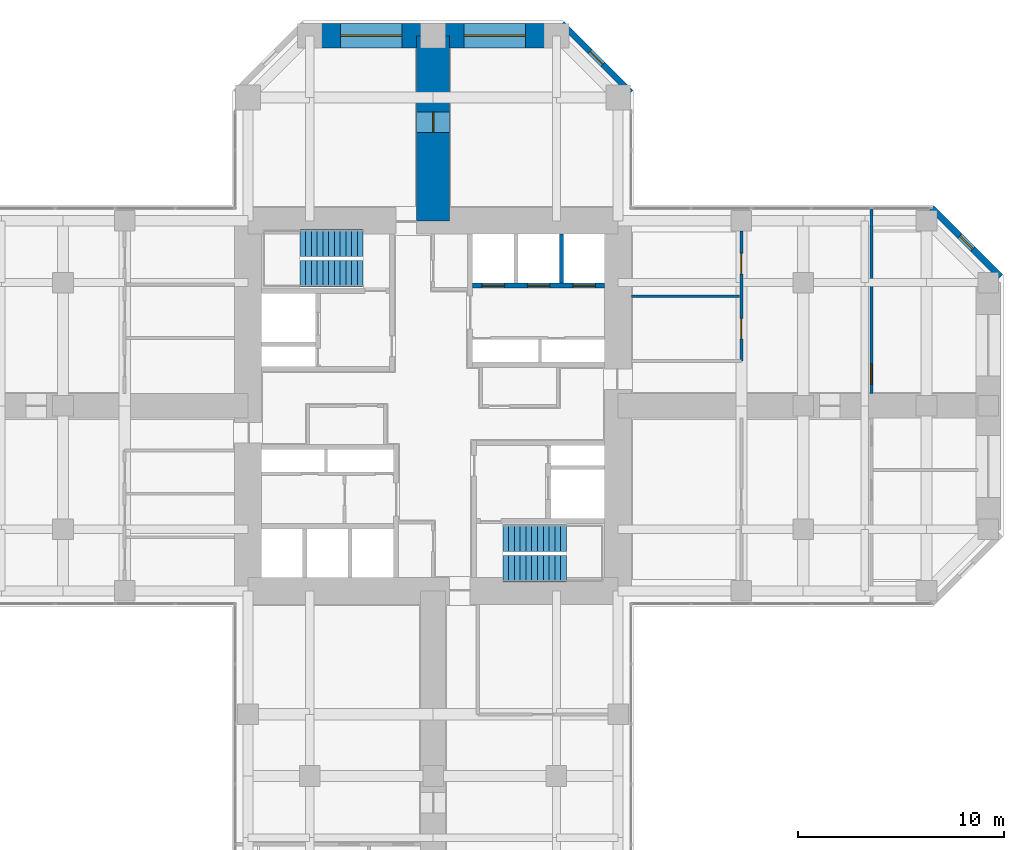
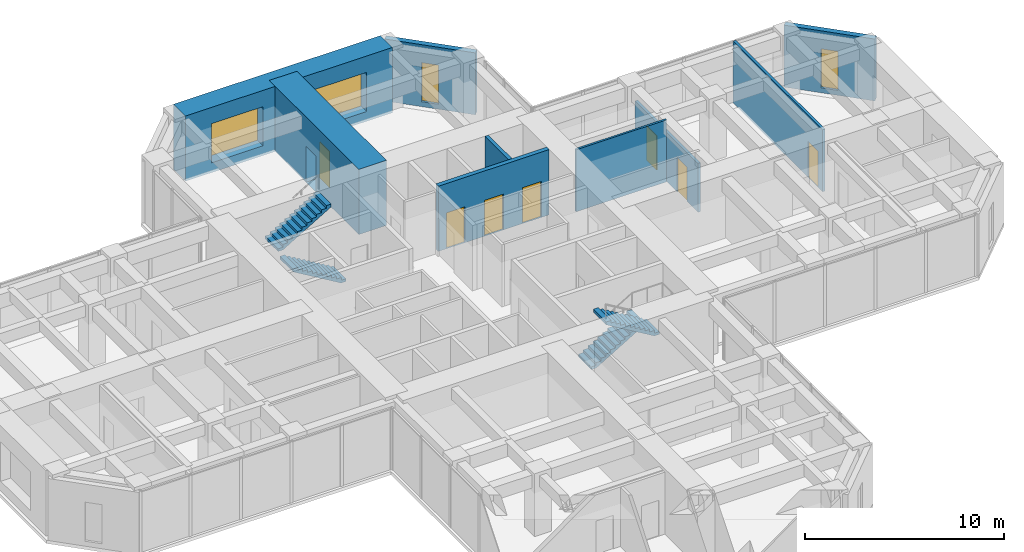
# One storey, part 11 of 12: 9 walls, 7 doors, 4 stair flights, 4 windows, 11 openings, 2 elements without a shape of their own.
"""IFC4 building model written with IfcOpenShell, lengths in metres."""

from ifc_helpers import new_model, si_unit, direction, frame, frame_2d, origin, place, context, subcontext, project, spatial, polyline, rectangle, hollow_rectangle, outline, extrude, material, layer, layer_set, constituent, constituent_set, type_object, element, fill, aggregate, save


model = new_model("IFC4")

# Units and contexts
model_context = context("Model", 3, precision=1e-05, world=origin(), true_north=direction((0.0, 1.0)))
body_context = subcontext(model_context, "Body", "Model", "MODEL_VIEW")
ifc_project = project(units=[si_unit("LENGTHUNIT", "METRE"), si_unit("AREAUNIT", "SQUARE_METRE"), si_unit("VOLUMEUNIT", "CUBIC_METRE"), si_unit("PLANEANGLEUNIT", "RADIAN"), si_unit("MASSUNIT", "GRAM", prefix="KILO")], contexts=[model_context])

# Site, building, storey
site_placement = place(None, origin())
site = spatial("IfcSite", under=ifc_project, at=site_placement, CompositionType="ELEMENT")
building_placement = place(site_placement, origin())
building = spatial("IfcBuilding", under=site, at=building_placement, Name="Torre Cruceta", CompositionType="ELEMENT")
storey_placement = place(building_placement, frame((0.0, 0.0, 104.5)))
storey = spatial("IfcBuildingStorey", under=building, at=storey_placement, Name="L25", CompositionType="ELEMENT", Elevation=104.5)

# Wall, openings, doors
ifc_material_1 = material(Name="Concrete G60 (fck 60 MPa)", Category="concrete")
ifc_layer_1 = layer(ifc_material_1, 0.25)
ifc_layer_set_1 = layer_set([ifc_layer_1], Name="Concrete G60 (fck 60 MPa)")
wall_type_1 = type_object("IfcWallType", Name="CORE INNER WALL 250 G60", PredefinedType="SHEAR", material=ifc_layer_set_1)
wall_1_placement = place(storey_placement, frame((1.925048828125, 5.85009765625, 0.0), z_axis=(0.0, 0.0, 1.0), x_axis=(1.0, 0.0, 0.0)))
wall_1 = element("IfcWall", 1, at=wall_1_placement, inside=storey, type_object=wall_type_1, Name="CW4 L25 NE-LV", PredefinedType="SHEAR", context=body_context, shape_type="SweptSolid", body=[
    extrude(rectangle(XDim=6.425048828125, YDim=0.25, at=frame_2d((3.21240234375, 0.0))), origin(), (0.0, 0.0, 1.0), 4.0),
])
opening_1_placement = place(wall_1_placement, frame((0.4541015625, 0.0, 0.0)))
opening_1 = element("IfcOpeningElement", 2, at=opening_1_placement, cuts=wall_1, Name="Opening LD1", PredefinedType="OPENING", context=body_context, shape_type="SweptSolid", body=[
    extrude(rectangle(XDim=1.10009765625, YDim=2.199951171875, at=frame_2d((0.550048828125, 1.10009765625))), frame((0.0, 0.135009765625, 0.0), z_axis=(0.0, -1.0, 0.0), x_axis=(1.0, 0.0, 0.0)), (0.0, 0.0, 1.0), 0.27001953125),
])
opening_2_placement = place(wall_1_placement, frame((2.66259765625, 0.0, 0.0)))
opening_2 = element("IfcOpeningElement", 3, at=opening_2_placement, cuts=wall_1, Name="Opening LD1", PredefinedType="OPENING", context=body_context, shape_type="SweptSolid", body=[
    extrude(rectangle(XDim=1.10009765625, YDim=2.199951171875, at=frame_2d((0.550048828125, 1.10009765625))), frame((0.0, 0.135009765625, 0.0), z_axis=(0.0, -1.0, 0.0), x_axis=(1.0, 0.0, 0.0)), (0.0, 0.0, 1.0), 0.27001953125),
])
opening_3_placement = place(wall_1_placement, frame((4.870849609375, 0.0, 0.0)))
opening_3 = element("IfcOpeningElement", 4, at=opening_3_placement, cuts=wall_1, Name="Opening LD1", PredefinedType="OPENING", context=body_context, shape_type="SweptSolid", body=[
    extrude(rectangle(XDim=1.10009765625, YDim=2.199951171875, at=frame_2d((0.550048828125, 1.10009765625))), frame((0.0, 0.135009765625, 0.0), z_axis=(0.0, -1.0, 0.0), x_axis=(1.0, 0.0, 0.0)), (0.0, 0.0, 1.0), 0.27001953125),
])
ifc_material_2 = material(Name="Stainless steel 1.4401", Category="steel")
door_type_1 = type_object("IfcDoorType", Name="LIFT LANDING DOOR 1100X2200", OperationType="DOUBLE_DOOR_SLIDING", PredefinedType="DOOR", material=ifc_material_2)
door_1_placement = place(opening_1_placement, origin())
door_1 = element("IfcDoor", 5, at=door_1_placement, inside=storey, type_object=door_type_1, Name="Lift landing door P1", OperationType="DOUBLE_DOOR_SLIDING", OverallHeight=2.199951171875, OverallWidth=1.10009765625, PredefinedType="DOOR", context=body_context, shape_type="SweptSolid", body=[
    extrude(rectangle(XDim=1.10009765625, YDim=2.199951171875, at=frame_2d((0.550048828125, 1.10009765625))), frame((0.0, 0.02490234375, 0.0), z_axis=(0.0, -1.0, 0.0), x_axis=(1.0, 0.0, 0.0)), (0.0, 0.0, 1.0), 0.050048828125),
])
fill(opening_1, door_1)
door_2_placement = place(opening_2_placement, origin())
door_2 = element("IfcDoor", 6, at=door_2_placement, inside=storey, type_object=door_type_1, Name="Lift landing door P2", OperationType="DOUBLE_DOOR_SLIDING", OverallHeight=2.199951171875, OverallWidth=1.10009765625, PredefinedType="DOOR", context=body_context, shape_type="SweptSolid", body=[
    extrude(rectangle(XDim=1.10009765625, YDim=2.199951171875, at=frame_2d((0.550048828125, 1.10009765625))), frame((0.0, 0.02490234375, 0.0), z_axis=(0.0, -1.0, 0.0), x_axis=(1.0, 0.0, 0.0)), (0.0, 0.0, 1.0), 0.050048828125),
])
fill(opening_2, door_2)
door_3_placement = place(opening_3_placement, origin())
door_3 = element("IfcDoor", 7, at=door_3_placement, inside=storey, type_object=door_type_1, Name="Lift landing door P3", OperationType="DOUBLE_DOOR_SLIDING", OverallHeight=2.199951171875, OverallWidth=1.10009765625, PredefinedType="DOOR", context=body_context, shape_type="SweptSolid", body=[
    extrude(rectangle(XDim=1.10009765625, YDim=2.199951171875, at=frame_2d((0.550048828125, 1.10009765625))), frame((0.0, 0.02490234375, 0.0), z_axis=(0.0, -1.0, 0.0), x_axis=(1.0, 0.0, 0.0)), (0.0, 0.0, 1.0), 0.050048828125),
])
fill(opening_3, door_3)

# Wall, opening, window
ifc_material_3 = material(Name="Concrete G30 (fck 30 MPa)", Category="concrete")
ifc_layer_2 = layer(ifc_material_3, 0.300048828125)
ifc_layer_set_2 = layer_set([ifc_layer_2], Name="Concrete G30 (fck 30 MPa)")
wall_type_2 = type_object("IfcWallType", Name="EXPOSED CONCRETE FACADE WALL 300", PredefinedType="SOLIDWALL", material=ifc_layer_set_2)
wall_2_placement = place(storey_placement, frame((27.60009765625, 6.27685546875, 0.0), z_axis=(0.0, 0.0, 1.0), x_axis=(-0.707106781187, 0.707106781187, 0.0)))
wall_2 = element("IfcWall", 8, at=wall_2_placement, inside=storey, type_object=wall_type_2, Name="EW1 facade wall L25 E chamfer 03", PredefinedType="SOLIDWALL", context=body_context, shape_type="SweptSolid", body=[
    extrude(rectangle(XDim=4.72802734375, YDim=0.300048828125, at=frame_2d((2.364013671875, 0.0))), origin(), (0.0, 0.0, 1.0), 3.800048828125),
])
opening_4_placement = place(wall_2_placement, frame((1.9140625, 0.0, 0.300048828125)))
opening_4 = element("IfcOpeningElement", 9, at=opening_4_placement, cuts=wall_2, Name="Opening WN5", PredefinedType="OPENING", context=body_context, shape_type="SweptSolid", body=[
    extrude(rectangle(XDim=0.89990234375, YDim=2.39990234375, at=frame_2d((0.449951171875, 1.199951171875))), frame((0.0, 0.159912109375, 0.0), z_axis=(0.0, -1.0, 0.0), x_axis=(1.0, 0.0, 0.0)), (0.0, 0.0, 1.0), 0.320068359375),
])
ifc_material_4 = material(Name="Aluminium window frame", Category="aluminium")
ifc_constituent_1 = constituent(ifc_material_4, Name="Frame")
ifc_material_5 = material(Name="Laminated insulating glass unit, low-iron clear", Category="glass")
ifc_constituent_2 = constituent(ifc_material_5, Name="Glazing")
ifc_constituent_set_1 = constituent_set(constituents=[ifc_constituent_1, ifc_constituent_2], Name="Aluminium window")
window_type_1 = type_object("IfcWindowType", Name="CHAMFER SLOT WINDOW 900X2400", PartitioningType="SINGLE_PANEL", PredefinedType="WINDOW", material=ifc_constituent_set_1)
window_1_placement = place(opening_4_placement, origin())
window_1 = element("IfcWindow", 10, at=window_1_placement, inside=storey, type_object=window_type_1, Name="WN5 L25 E 1", OverallHeight=2.39990234375, OverallWidth=0.89990234375, PartitioningType="SINGLE_PANEL", PredefinedType="WINDOW", context=body_context, shape_type="SweptSolid", body=[
    extrude(hollow_rectangle(XDim=0.89990234375, YDim=2.39990234375, WallThickness=0.06005859375, at=frame_2d((0.449951171875, 1.199951171875))), frame((0.0, 0.030029296875, 0.0), z_axis=(0.0, -1.0, 0.0), x_axis=(1.0, 0.0, 0.0)), (0.0, 0.0, 1.0), 0.06005859375),
    extrude(rectangle(XDim=0.77880859375, YDim=2.27880859375, at=frame_2d((0.449951171875, 1.199951171875))), frame((0.0, 0.030029296875, 0.0), z_axis=(0.0, -1.0, 0.0), x_axis=(1.0, 0.0, 0.0)), (0.0, 0.0, 1.0), 0.06005859375),
])
fill(opening_4, window_1)

wall_3_placement = place(storey_placement, frame((9.6201171875, 15.2568359375, 0.0), z_axis=(0.0, 0.0, 1.0), x_axis=(-0.707106781187, 0.707106781187, 0.0)))
wall_3 = element("IfcWall", 11, at=wall_3_placement, inside=storey, type_object=wall_type_2, Name="EW1 facade wall L25 N chamfer 06", PredefinedType="SOLIDWALL", context=body_context, shape_type="SweptSolid", body=[
    extrude(rectangle(XDim=4.72802734375, YDim=0.300048828125, at=frame_2d((2.364013671875, 0.0))), origin(), (0.0, 0.0, 1.0), 3.800048828125),
])
opening_5_placement = place(wall_3_placement, frame((1.9140625, 0.0, 0.300048828125)))
opening_5 = element("IfcOpeningElement", 12, at=opening_5_placement, cuts=wall_3, Name="Opening WN5", PredefinedType="OPENING", context=body_context, shape_type="SweptSolid", body=[
    extrude(rectangle(XDim=0.89990234375, YDim=2.39990234375, at=frame_2d((0.449951171875, 1.199951171875))), frame((0.0, 0.159912109375, 0.0), z_axis=(0.0, -1.0, 0.0), x_axis=(1.0, 0.0, 0.0)), (0.0, 0.0, 1.0), 0.320068359375),
])
window_2_placement = place(opening_5_placement, origin())
window_2 = element("IfcWindow", 13, at=window_2_placement, inside=storey, type_object=window_type_1, Name="WN5 L25 N 1", OverallHeight=2.39990234375, OverallWidth=0.89990234375, PartitioningType="SINGLE_PANEL", PredefinedType="WINDOW", context=body_context, shape_type="SweptSolid", body=[
    extrude(hollow_rectangle(XDim=0.89990234375, YDim=2.39990234375, WallThickness=0.06005859375, at=frame_2d((0.449951171875, 1.199951171875))), frame((0.0, 0.030029296875, 0.0), z_axis=(0.0, -1.0, 0.0), x_axis=(1.0, 0.0, 0.0)), (0.0, 0.0, 1.0), 0.06005859375),
    extrude(rectangle(XDim=0.77880859375, YDim=2.27880859375, at=frame_2d((0.449951171875, 1.199951171875))), frame((0.0, 0.030029296875, 0.0), z_axis=(0.0, -1.0, 0.0), x_axis=(1.0, 0.0, 0.0)), (0.0, 0.0, 1.0), 0.06005859375),
])
fill(opening_5, window_2)

# Wall
ifc_material_6 = material(Name="Concrete G35 (fck 35 MPa)", Category="concrete")
ifc_layer_3 = layer(ifc_material_6, 0.199951171875)
ifc_layer_set_3 = layer_set([ifc_layer_3], Name="Concrete G35 (fck 35 MPa)")
wall_type_3 = type_object("IfcWallType", Name="LIFT SHAFT WALL 200", PredefinedType="PARTITIONING", material=ifc_layer_set_3)
wall_4_placement = place(storey_placement, frame((6.24169921875, 5.97509765625, 0.0), z_axis=(0.0, 0.0, 1.0), x_axis=(0.0, 1.0, 0.0)))
element("IfcWall", 14, at=wall_4_placement, inside=storey, type_object=wall_type_3, Name="SW1 L25 NE-LS2", PredefinedType="PARTITIONING", context=body_context, shape_type="SweptSolid", body=[
    extrude(rectangle(XDim=2.375, YDim=0.199951171875, at=frame_2d((1.1875, 0.0))), origin(), (0.0, 0.0, 1.0), 4.0),
])

# Wall, openings, windows
ifc_material_7 = material(Name="Concrete G60 (fck 60 MPa)", Category="concrete")
ifc_layer_4 = layer(ifc_material_7, 1.199951171875)
ifc_layer_set_4 = layer_set([ifc_layer_4], Name="Concrete G60 (fck 60 MPa)")
wall_type_4 = type_object("IfcWallType", Name="NOSE WALL 1200 G60", PredefinedType="SHEAR", material=ifc_layer_set_4)
wall_5_placement = place(storey_placement, frame((6.0, 18.0, 0.0), z_axis=(0.0, 0.0, 1.0), x_axis=(-1.0, 0.0, 0.0)))
wall_5 = element("IfcWall", 15, at=wall_5_placement, inside=storey, type_object=wall_type_4, Name="NW1 nose wall L25 N", PredefinedType="SHEAR", context=body_context, shape_type="SweptSolid", body=[
    extrude(rectangle(XDim=12.0, YDim=1.199951171875, at=frame_2d((6.0, 0.0))), origin(), (0.0, 0.0, 1.0), 4.0),
])
opening_6_placement = place(wall_5_placement, frame((1.5, 0.0, 0.60009765625)))
opening_6 = element("IfcOpeningElement", 16, at=opening_6_placement, cuts=wall_5, Name="Opening WN6", PredefinedType="OPENING", context=body_context, shape_type="SweptSolid", body=[
    extrude(rectangle(XDim=3.0, YDim=2.39990234375, at=frame_2d((1.5, 1.199951171875))), frame((0.0, 0.60986328125, 0.0), z_axis=(0.0, -1.0, 0.0), x_axis=(1.0, 0.0, 0.0)), (0.0, 0.0, 1.0), 1.219970703125),
])
opening_7_placement = place(wall_5_placement, frame((7.5, 0.0, 0.60009765625)))
opening_7 = element("IfcOpeningElement", 17, at=opening_7_placement, cuts=wall_5, Name="Opening WN6", PredefinedType="OPENING", context=body_context, shape_type="SweptSolid", body=[
    extrude(rectangle(XDim=3.0, YDim=2.39990234375, at=frame_2d((1.5, 1.199951171875))), frame((0.0, 0.60986328125, 0.0), z_axis=(0.0, -1.0, 0.0), x_axis=(1.0, 0.0, 0.0)), (0.0, 0.0, 1.0), 1.219970703125),
])
ifc_material_8 = material(Name="Aluminium window frame", Category="aluminium")
ifc_constituent_3 = constituent(ifc_material_8, Name="Frame")
ifc_material_9 = material(Name="Laminated insulating glass unit, low-iron clear", Category="glass")
ifc_constituent_4 = constituent(ifc_material_9, Name="Glazing")
ifc_constituent_set_2 = constituent_set(constituents=[ifc_constituent_3, ifc_constituent_4], Name="Aluminium window")
window_type_2 = type_object("IfcWindowType", Name="NOSE WALL WINDOW 3000X2400", PartitioningType="SINGLE_PANEL", PredefinedType="WINDOW", material=ifc_constituent_set_2)
window_3_placement = place(opening_6_placement, origin())
window_3 = element("IfcWindow", 18, at=window_3_placement, inside=storey, type_object=window_type_2, Name="WN6 L25 N 1", OverallHeight=2.39990234375, OverallWidth=3.0, PartitioningType="SINGLE_PANEL", PredefinedType="WINDOW", context=body_context, shape_type="SweptSolid", body=[
    extrude(hollow_rectangle(XDim=3.0, YDim=2.39990234375, WallThickness=0.06005859375, at=frame_2d((1.5, 1.199951171875))), frame((0.0, 0.030029296875, 0.0), z_axis=(0.0, -1.0, 0.0), x_axis=(1.0, 0.0, 0.0)), (0.0, 0.0, 1.0), 0.06005859375),
    extrude(rectangle(XDim=2.87890625, YDim=2.27880859375, at=frame_2d((1.5, 1.199951171875))), frame((0.0, 0.030029296875, 0.0), z_axis=(0.0, -1.0, 0.0), x_axis=(1.0, 0.0, 0.0)), (0.0, 0.0, 1.0), 0.06005859375),
])
fill(opening_6, window_3)
window_4_placement = place(opening_7_placement, origin())
window_4 = element("IfcWindow", 19, at=window_4_placement, inside=storey, type_object=window_type_2, Name="WN6 L25 N 2", OverallHeight=2.39990234375, OverallWidth=3.0, PartitioningType="SINGLE_PANEL", PredefinedType="WINDOW", context=body_context, shape_type="SweptSolid", body=[
    extrude(hollow_rectangle(XDim=3.0, YDim=2.39990234375, WallThickness=0.06005859375, at=frame_2d((1.5, 1.199951171875))), frame((0.0, 0.030029296875, 0.0), z_axis=(0.0, -1.0, 0.0), x_axis=(1.0, 0.0, 0.0)), (0.0, 0.0, 1.0), 0.06005859375),
    extrude(rectangle(XDim=2.87890625, YDim=2.27880859375, at=frame_2d((1.5, 1.199951171875))), frame((0.0, 0.030029296875, 0.0), z_axis=(0.0, -1.0, 0.0), x_axis=(1.0, 0.0, 0.0)), (0.0, 0.0, 1.0), 0.06005859375),
])
fill(opening_7, window_4)

# Wall, openings, doors
ifc_material_10 = material(Name="Plasterboard on steel studs", Category="steel")
ifc_layer_5 = layer(ifc_material_10, 0.14990234375)
ifc_layer_set_5 = layer_set([ifc_layer_5], Name="Plasterboard on steel studs")
wall_type_5 = type_object("IfcWallType", Name="PARTITION 150", PredefinedType="PARTITIONING", material=ifc_layer_set_5)
wall_6_placement = place(storey_placement, frame((15.0, 2.175048828125, 0.0), z_axis=(0.0, 0.0, 1.0), x_axis=(0.0, 1.0, 0.0)))
wall_6 = element("IfcWall", 20, at=wall_6_placement, inside=storey, type_object=wall_type_5, Name="PT1 L25-E-BFL", PredefinedType="PARTITIONING", context=body_context, shape_type="SweptSolid", body=[
    extrude(rectangle(XDim=6.324951171875, YDim=0.14990234375, at=frame_2d((3.16259765625, 0.0))), origin(), (0.0, 0.0, 1.0), 3.0),
])
opening_8_placement = place(wall_6_placement, frame((1.081298828125, 0.0, 0.0)))
opening_8 = element("IfcOpeningElement", 21, at=opening_8_placement, cuts=wall_6, Name="Opening D3", PredefinedType="OPENING", context=body_context, shape_type="SweptSolid", body=[
    extrude(rectangle(XDim=1.0, YDim=2.10009765625, at=frame_2d((0.5, 1.050048828125))), frame((0.0, 0.0849609375, 0.0), z_axis=(0.0, -1.0, 0.0), x_axis=(1.0, 0.0, 0.0)), (0.0, 0.0, 1.0), 0.169921875),
])
opening_9_placement = place(wall_6_placement, frame((4.243896484375, 0.0, 0.0)))
opening_9 = element("IfcOpeningElement", 22, at=opening_9_placement, cuts=wall_6, Name="Opening D3", PredefinedType="OPENING", context=body_context, shape_type="SweptSolid", body=[
    extrude(rectangle(XDim=1.0, YDim=2.10009765625, at=frame_2d((0.5, 1.050048828125))), frame((0.0, 0.0849609375, 0.0), z_axis=(0.0, -1.0, 0.0), x_axis=(1.0, 0.0, 0.0)), (0.0, 0.0, 1.0), 0.169921875),
])
ifc_material_11 = material(Name="Steel DX51D", Category="steel")
ifc_constituent_5 = constituent(ifc_material_11, Name="Leaf and frame")
ifc_material_12 = material(Name="Polyester powder coating", Category="paint")
ifc_constituent_6 = constituent(ifc_material_12, Name="Finish")
ifc_constituent_set_3 = constituent_set(constituents=[ifc_constituent_5, ifc_constituent_6], Name="Steel fire door")
door_type_2 = type_object("IfcDoorType", Name="FIRE DOOR 1000X2100", OperationType="SINGLE_SWING_LEFT", PredefinedType="DOOR", material=ifc_constituent_set_3)
door_4_placement = place(opening_8_placement, origin())
door_4 = element("IfcDoor", 23, at=door_4_placement, inside=storey, type_object=door_type_2, Name="D3 L25-E-BFL-D1", OperationType="SINGLE_SWING_LEFT", OverallHeight=2.10009765625, OverallWidth=1.0, PredefinedType="DOOR", context=body_context, shape_type="SweptSolid", body=[
    extrude(rectangle(XDim=1.0, YDim=2.10009765625, at=frame_2d((0.5, 1.050048828125))), frame((0.0, 0.02490234375, 0.0), z_axis=(0.0, -1.0, 0.0), x_axis=(1.0, 0.0, 0.0)), (0.0, 0.0, 1.0), 0.050048828125),
])
fill(opening_8, door_4)
door_5_placement = place(opening_9_placement, origin())
door_5 = element("IfcDoor", 24, at=door_5_placement, inside=storey, type_object=door_type_2, Name="D3 L25-E-BFL-D2", OperationType="SINGLE_SWING_LEFT", OverallHeight=2.10009765625, OverallWidth=1.0, PredefinedType="DOOR", context=body_context, shape_type="SweptSolid", body=[
    extrude(rectangle(XDim=1.0, YDim=2.10009765625, at=frame_2d((0.5, 1.050048828125))), frame((0.0, 0.02490234375, 0.0), z_axis=(0.0, -1.0, 0.0), x_axis=(1.0, 0.0, 0.0)), (0.0, 0.0, 1.0), 0.050048828125),
])
fill(opening_9, door_5)

# Wall, opening, door
wall_7_placement = place(storey_placement, frame((21.320068359375, 0.60009765625, 0.0), z_axis=(0.0, 0.0, 1.0), x_axis=(0.0, 1.0, 0.0)))
wall_7 = element("IfcWall", 25, at=wall_7_placement, inside=storey, type_object=wall_type_5, Name="PT1 L25-E-TWL", PredefinedType="PARTITIONING", context=body_context, shape_type="SweptSolid", body=[
    extrude(rectangle(XDim=8.97998046875, YDim=0.14990234375, at=frame_2d((4.489990234375, 0.0))), origin(), (0.0, 0.0, 1.0), 3.800048828125),
])
opening_10_placement = place(wall_7_placement, frame((0.449951171875, 0.0, 0.0)))
opening_10 = element("IfcOpeningElement", 26, at=opening_10_placement, cuts=wall_7, Name="Opening D14", PredefinedType="OPENING", context=body_context, shape_type="SweptSolid", body=[
    extrude(rectangle(XDim=1.0, YDim=2.199951171875, at=frame_2d((0.5, 1.10009765625))), frame((0.0, 0.0849609375, 0.0), z_axis=(0.0, -1.0, 0.0), x_axis=(1.0, 0.0, 0.0)), (0.0, 0.0, 1.0), 0.169921875),
])
ifc_material_13 = material(Name="Steel DX51D", Category="steel")
ifc_constituent_7 = constituent(ifc_material_13, Name="Leaf and frame")
ifc_material_14 = material(Name="Polyester powder coating", Category="paint")
ifc_constituent_8 = constituent(ifc_material_14, Name="Finish")
ifc_material_15 = material(Name="Fire-resisting glass", Category="glass")
ifc_constituent_9 = constituent(ifc_material_15, Name="Vision panel")
ifc_constituent_set_4 = constituent_set(constituents=[ifc_constituent_7, ifc_constituent_8, ifc_constituent_9], Name="Steel fire door with vision panel")
door_type_3 = type_object("IfcDoorType", Name="FIRE DOOR VISION PANEL 1000X2200", OperationType="SINGLE_SWING_RIGHT", PredefinedType="DOOR", material=ifc_constituent_set_4)
door_6_placement = place(opening_10_placement, frame((1.0, 0.0, 0.0), z_axis=(0.0, 0.0, 1.0), x_axis=(-1.0, 0.0, 0.0)))
door_6 = element("IfcDoor", 27, at=door_6_placement, inside=storey, type_object=door_type_3, Name="D14 L25-E-TWL-D1", OperationType="SINGLE_SWING_RIGHT", OverallHeight=2.199951171875, OverallWidth=1.0, PredefinedType="DOOR", context=body_context, shape_type="SweptSolid", body=[
    extrude(rectangle(XDim=1.0, YDim=2.199951171875, at=frame_2d((0.5, 1.10009765625))), frame((0.0, 0.025146484375, 0.0), z_axis=(0.0, -1.0, 0.0), x_axis=(1.0, 0.0, 0.0)), (0.0, 0.0, 1.0), 0.050048828125),
])
fill(opening_10, door_6)

ifc_material_16 = material(Name="Concrete G60 (fck 60 MPa)", Category="concrete")
ifc_layer_6 = layer(ifc_material_16, 1.60009765625)
ifc_layer_set_6 = layer_set([ifc_layer_6], Name="Concrete G60 (fck 60 MPa)")
wall_type_6 = type_object("IfcWallType", Name="SPINE WALL 1600 G60", PredefinedType="SHEAR", material=ifc_layer_set_6)
wall_8_placement = place(storey_placement, frame((0.0, 9.0, 0.0), z_axis=(0.0, 0.0, 1.0), x_axis=(0.0, 1.0, 0.0)))
wall_8 = element("IfcWall", 28, at=wall_8_placement, inside=storey, type_object=wall_type_6, Name="SW2 spine wall L25 N", PredefinedType="SHEAR", context=body_context, shape_type="SweptSolid", body=[
    extrude(rectangle(XDim=9.0, YDim=1.60009765625, at=frame_2d((4.5, 0.0))), origin(), (0.0, 0.0, 1.0), 4.0),
])
opening_11_placement = place(wall_8_placement, frame((4.300048828125, 0.0, 0.0)))
opening_11 = element("IfcOpeningElement", 29, at=opening_11_placement, cuts=wall_8, Name="Opening D14", PredefinedType="OPENING", context=body_context, shape_type="SweptSolid", body=[
    extrude(rectangle(XDim=1.0, YDim=2.199951171875, at=frame_2d((0.5, 1.10009765625))), frame((0.0, 0.81005859375, 0.0), z_axis=(0.0, -1.0, 0.0), x_axis=(1.0, 0.0, 0.0)), (0.0, 0.0, 1.0), 1.6201171875),
])
door_7_placement = place(opening_11_placement, frame((1.0, 0.0, 0.0), z_axis=(0.0, 0.0, 1.0), x_axis=(-1.0, 0.0, 0.0)))
door_7 = element("IfcDoor", 30, at=door_7_placement, inside=storey, type_object=door_type_3, Name="D14 L25-N-SP1", OperationType="SINGLE_SWING_LEFT", OverallHeight=2.199951171875, OverallWidth=1.0, PredefinedType="DOOR", context=body_context, shape_type="SweptSolid", body=[
    extrude(rectangle(XDim=1.0, YDim=2.199951171875, at=frame_2d((0.5, 1.10009765625))), frame((0.0, 0.025146484375, 0.0), z_axis=(0.0, -1.0, 0.0), x_axis=(1.0, 0.0, 0.0)), (0.0, 0.0, 1.0), 0.050048828125),
])
fill(opening_11, door_7)

# Wall
ifc_material_17 = material(Name="Plasterboard on steel studs", Category="steel")
ifc_layer_7 = layer(ifc_material_17, 0.1201171875)
ifc_layer_set_7 = layer_set([ifc_layer_7], Name="Plasterboard on steel studs")
wall_type_7 = type_object("IfcWallType", Name="WC PARTITION 120", PredefinedType="PLUMBINGWALL", material=ifc_layer_set_7)
wall_9_placement = place(storey_placement, frame((9.64990234375, 5.33740234375, 0.0), z_axis=(0.0, 0.0, 1.0), x_axis=(1.0, 0.0, 0.0)))
element("IfcWall", 31, at=wall_9_placement, inside=storey, type_object=wall_type_7, Name="PT5 L25-E-BDL1", PredefinedType="PLUMBINGWALL", context=body_context, shape_type="SweptSolid", body=[
    extrude(rectangle(XDim=5.25, YDim=0.1201171875, at=frame_2d((2.625, 0.0))), origin(), (0.0, 0.0, 1.0), 3.800048828125),
])

# Stair, stair flights
ifc_material_18 = material(Name="Concrete G30 (fck 30 MPa)", Category="concrete")
stair_type = type_object("IfcStairType", Name="STAIR HALF-TURN 1300", PredefinedType="HALF_TURN_STAIR", material=ifc_material_18)
stair_1_placement = place(storey_placement, origin())
stair_1 = element("IfcStair", 32, at=stair_1_placement, inside=storey, type_object=stair_type, Name="Stair ST1 L25", PredefinedType="HALF_TURN_STAIR")
ifc_material_19 = material(Name="Concrete G30 (fck 30 MPa)", Category="concrete")
stair_flight_type = type_object("IfcStairFlightType", Name="STAIR FLIGHT 1300", PredefinedType="STRAIGHT", material=ifc_material_19)
stair_flight_1_placement = place(storey_placement, frame((-3.39990234375, 6.425048828125, 0.0), z_axis=(0.0, 0.0, 1.0), x_axis=(-1.0, 0.0, 0.0)))
stair_flight_1 = element("IfcStairFlight", 33, at=stair_flight_1_placement, type_object=stair_flight_type, Name="ST1 flight 1", NumberOfRisers=12, NumberOfTreads=11, PredefinedType="STRAIGHT", RiserHeight=0.166666667, TreadLength=0.28, context=body_context, shape_type="SweptSolid", body=[
    extrude(outline(polyline([(0.0, 0.0), (0.0, 0.166748046875), (0.280029296875, 0.166748046875), (0.280029296875, 0.333251953125), (0.56005859375, 0.333251953125), (0.56005859375, 0.5), (0.840087890625, 0.5), (0.840087890625, 0.666748046875), (1.1201171875, 0.666748046875), (1.1201171875, 0.833251953125), (1.39990234375, 0.833251953125), (1.39990234375, 1.0), (1.679931640625, 1.0), (1.679931640625, 1.166748046875), (1.9599609375, 1.166748046875), (1.9599609375, 1.333251953125), (2.239990234375, 1.333251953125), (2.239990234375, 1.5), (2.52001953125, 1.5), (2.52001953125, 1.666748046875), (2.800048828125, 1.666748046875), (2.800048828125, 1.833251953125), (3.080078125, 1.833251953125), (3.080078125, 2.0), (3.080078125, 1.658935546875), (0.29296875, 0.0), (0.0, 0.0)])), frame((0.0, 0.64990234375, 0.0), z_axis=(0.0, -1.0, 0.0), x_axis=(1.0, 0.0, 0.0)), (0.0, 0.0, 1.0), 1.300048828125),
])
stair_flight_2_placement = place(storey_placement, frame((-6.47998046875, 7.925048828125, 2.0), z_axis=(0.0, 0.0, 1.0), x_axis=(1.0, 0.0, 0.0)))
stair_flight_2 = element("IfcStairFlight", 34, at=stair_flight_2_placement, type_object=stair_flight_type, Name="ST1 flight 2", NumberOfRisers=12, NumberOfTreads=11, PredefinedType="STRAIGHT", RiserHeight=0.166666667, TreadLength=0.28, context=body_context, shape_type="SweptSolid", body=[
    extrude(outline(polyline([(0.0, 0.0), (0.0, 0.166748046875), (0.280029296875, 0.166748046875), (0.280029296875, 0.333251953125), (0.56005859375, 0.333251953125), (0.56005859375, 0.5), (0.840087890625, 0.5), (0.840087890625, 0.666748046875), (1.1201171875, 0.666748046875), (1.1201171875, 0.833251953125), (1.39990234375, 0.833251953125), (1.39990234375, 1.0), (1.679931640625, 1.0), (1.679931640625, 1.166748046875), (1.9599609375, 1.166748046875), (1.9599609375, 1.333251953125), (2.239990234375, 1.333251953125), (2.239990234375, 1.5), (2.52001953125, 1.5), (2.52001953125, 1.666748046875), (2.800048828125, 1.666748046875), (2.800048828125, 1.833251953125), (3.080078125, 1.833251953125), (3.080078125, 2.0), (3.080078125, 1.658935546875), (0.29296875, 0.0), (0.0, 0.0)])), frame((0.0, 0.64990234375, 0.0), z_axis=(0.0, -1.0, 0.0), x_axis=(1.0, 0.0, 0.0)), (0.0, 0.0, 1.0), 1.300048828125),
])
aggregate(stair_1, [stair_flight_1, stair_flight_2])

stair_2_placement = place(storey_placement, origin())
stair_2 = element("IfcStair", 35, at=stair_2_placement, inside=storey, type_object=stair_type, Name="Stair ST2 L25", PredefinedType="HALF_TURN_STAIR")
stair_flight_3_placement = place(storey_placement, frame((3.39990234375, -6.425048828125, 0.0), z_axis=(0.0, 0.0, 1.0), x_axis=(1.0, 0.0, 0.0)))
stair_flight_3 = element("IfcStairFlight", 36, at=stair_flight_3_placement, type_object=stair_flight_type, Name="ST2 flight 1", NumberOfRisers=12, NumberOfTreads=11, PredefinedType="STRAIGHT", RiserHeight=0.166666667, TreadLength=0.28, context=body_context, shape_type="SweptSolid", body=[
    extrude(outline(polyline([(0.0, 0.0), (0.0, 0.166748046875), (0.280029296875, 0.166748046875), (0.280029296875, 0.333251953125), (0.56005859375, 0.333251953125), (0.56005859375, 0.5), (0.840087890625, 0.5), (0.840087890625, 0.666748046875), (1.1201171875, 0.666748046875), (1.1201171875, 0.833251953125), (1.39990234375, 0.833251953125), (1.39990234375, 1.0), (1.679931640625, 1.0), (1.679931640625, 1.166748046875), (1.9599609375, 1.166748046875), (1.9599609375, 1.333251953125), (2.239990234375, 1.333251953125), (2.239990234375, 1.5), (2.52001953125, 1.5), (2.52001953125, 1.666748046875), (2.800048828125, 1.666748046875), (2.800048828125, 1.833251953125), (3.080078125, 1.833251953125), (3.080078125, 2.0), (3.080078125, 1.658935546875), (0.29296875, 0.0), (0.0, 0.0)])), frame((0.0, 0.64990234375, 0.0), z_axis=(0.0, -1.0, 0.0), x_axis=(1.0, 0.0, 0.0)), (0.0, 0.0, 1.0), 1.300048828125),
])
stair_flight_4_placement = place(storey_placement, frame((6.47998046875, -7.925048828125, 2.0), z_axis=(0.0, 0.0, 1.0), x_axis=(-1.0, 0.0, 0.0)))
stair_flight_4 = element("IfcStairFlight", 37, at=stair_flight_4_placement, type_object=stair_flight_type, Name="ST2 flight 2", NumberOfRisers=12, NumberOfTreads=11, PredefinedType="STRAIGHT", RiserHeight=0.166666667, TreadLength=0.28, context=body_context, shape_type="SweptSolid", body=[
    extrude(outline(polyline([(0.0, 0.0), (0.0, 0.166748046875), (0.280029296875, 0.166748046875), (0.280029296875, 0.333251953125), (0.56005859375, 0.333251953125), (0.56005859375, 0.5), (0.840087890625, 0.5), (0.840087890625, 0.666748046875), (1.1201171875, 0.666748046875), (1.1201171875, 0.833251953125), (1.39990234375, 0.833251953125), (1.39990234375, 1.0), (1.679931640625, 1.0), (1.679931640625, 1.166748046875), (1.9599609375, 1.166748046875), (1.9599609375, 1.333251953125), (2.239990234375, 1.333251953125), (2.239990234375, 1.5), (2.52001953125, 1.5), (2.52001953125, 1.666748046875), (2.800048828125, 1.666748046875), (2.800048828125, 1.833251953125), (3.080078125, 1.833251953125), (3.080078125, 2.0), (3.080078125, 1.658935546875), (0.29296875, 0.0), (0.0, 0.0)])), frame((0.0, 0.64990234375, 0.0), z_axis=(0.0, -1.0, 0.0), x_axis=(1.0, 0.0, 0.0)), (0.0, 0.0, 1.0), 1.300048828125),
])
aggregate(stair_2, [stair_flight_3, stair_flight_4])

save(model, "model.ifc")
